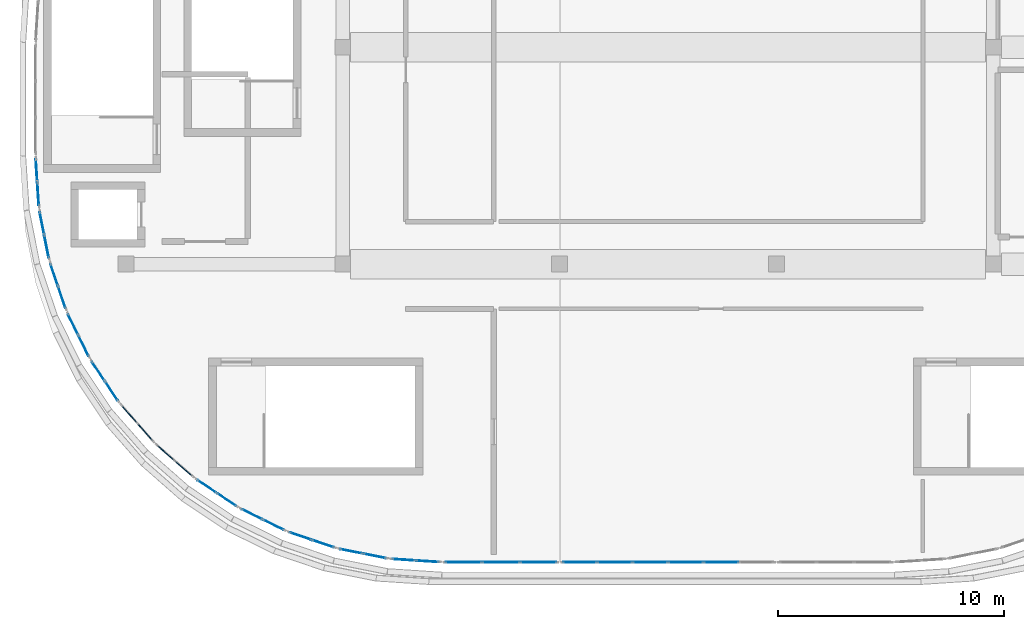
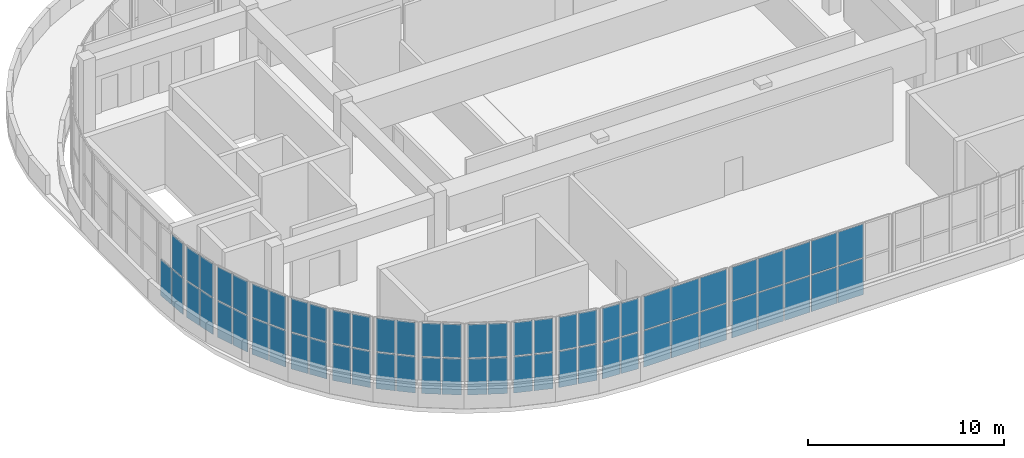
# One storey, part 13 of 23: 63 plates, 14 elements without a shape of their own.
"""IFC4 building model written with IfcOpenShell, lengths in metres."""

from ifc_helpers import new_model, si_unit, direction, frame, origin, origin_2d, place, context, subcontext, project, spatial, rectangle, extrude, material, layer, layer_set, type_object, element, aggregate, save


model = new_model("IFC4")

# Units and contexts
model_context = context("Model", 3, precision=1e-05, world=origin(), true_north=direction((0.0, 1.0)))
body_context = subcontext(model_context, "Body", "Model", "MODEL_VIEW")
ifc_project = project(units=[si_unit("LENGTHUNIT", "METRE"), si_unit("AREAUNIT", "SQUARE_METRE"), si_unit("VOLUMEUNIT", "CUBIC_METRE"), si_unit("PLANEANGLEUNIT", "RADIAN"), si_unit("MASSUNIT", "GRAM", prefix="KILO")], contexts=[model_context])

# Site, building, storey
site_placement = place(None, origin())
site = spatial("IfcSite", under=ifc_project, at=site_placement, CompositionType="ELEMENT")
building_placement = place(site_placement, origin())
building = spatial("IfcBuilding", under=site, at=building_placement, Name="Cendralis Terraced Arcade", CompositionType="ELEMENT")
storey_placement = place(building_placement, frame((0.0, 0.0, 29.39990234375)))
storey = spatial("IfcBuildingStorey", under=building, at=storey_placement, Name="L06", CompositionType="ELEMENT", Elevation=29.39990234375)

# Curtain wall, plates
ifc_material_1 = material(Name="Anodised aluminium EN AW-6063 T6", Category="aluminium")
ifc_layer_1 = layer(ifc_material_1, 0.179931640625, Name="CW-UNIT-A")
ifc_layer_set_1 = layer_set([ifc_layer_1], Name="Anodised aluminium EN AW-6063 T6")
curtain_wall_type_1 = type_object("IfcCurtainWallType", Name="CW-UNIT-A", PredefinedType="USERDEFINED", material=ifc_layer_set_1)
curtain_wall_1_placement = place(storey_placement, origin())
curtain_wall_1 = element("IfcCurtainWall", 1, at=curtain_wall_1_placement, inside=storey, type_object=curtain_wall_type_1, Name="Exterior Unitised Facade CW-L06-0485", ObjectType="UNITISED FACADE", PredefinedType="USERDEFINED")
ifc_material_2 = material(Name="Tempered solar control laminated glass", Category="glass")
ifc_layer_2 = layer(ifc_material_2, 0.035888671875, Name="CW-UNIT-A-PNL")
ifc_layer_set_2 = layer_set([ifc_layer_2], Name="Tempered solar control laminated glass")
plate_type_1 = type_object("IfcPlateType", Name="CW-UNIT-A-PNL", PredefinedType="CURTAIN_PANEL", material=ifc_layer_set_2)
plate_1_placement = place(storey_placement, frame((22.951416015625, 6.04248046875, 0.06494140625), z_axis=(0.0, 0.0, 1.0), x_axis=(-0.99785960626, 0.065392707503, 0.0)))
plate_1 = element("IfcPlate", 2, at=plate_1_placement, type_object=plate_type_1, Name="CW-U1 panel 1.1", PredefinedType="CURTAIN_PANEL", context=body_context, shape_type="SweptSolid", body=[
    extrude(rectangle(XDim=0.98974609375, YDim=0.035888671875, at=origin_2d()), origin(), (0.0, 0.0, 1.0), 2.255615234375),
])
plate_2_placement = place(storey_placement, frame((22.951416015625, 6.04248046875, 2.3857421875), z_axis=(0.0, 0.0, 1.0), x_axis=(-0.99785960626, 0.065392707503, 0.0)))
plate_2 = element("IfcPlate", 3, at=plate_2_placement, type_object=plate_type_1, Name="CW-U1 panel 1.2", PredefinedType="CURTAIN_PANEL", context=body_context, shape_type="SweptSolid", body=[
    extrude(rectangle(XDim=0.98974609375, YDim=0.035888671875, at=origin_2d()), origin(), (0.0, 0.0, 1.0), 2.074462890625),
])
plate_3_placement = place(storey_placement, frame((21.89892578125, 6.111572265625, 0.06494140625), z_axis=(0.0, 0.0, 1.0), x_axis=(-0.99785960626, 0.065392707503, 0.0)))
plate_3 = element("IfcPlate", 4, at=plate_3_placement, type_object=plate_type_1, Name="CW-U1 panel 2.1", PredefinedType="CURTAIN_PANEL", context=body_context, shape_type="SweptSolid", body=[
    extrude(rectangle(XDim=0.98974609375, YDim=0.035888671875, at=origin_2d()), origin(), (0.0, 0.0, 1.0), 2.255615234375),
])
plate_4_placement = place(storey_placement, frame((21.89892578125, 6.111572265625, 2.3857421875), z_axis=(0.0, 0.0, 1.0), x_axis=(-0.99785960626, 0.065392707503, 0.0)))
plate_4 = element("IfcPlate", 5, at=plate_4_placement, type_object=plate_type_1, Name="CW-U1 panel 2.2", PredefinedType="CURTAIN_PANEL", context=body_context, shape_type="SweptSolid", body=[
    extrude(rectangle(XDim=0.98974609375, YDim=0.035888671875, at=origin_2d()), origin(), (0.0, 0.0, 1.0), 2.074462890625),
])
aggregate(curtain_wall_1, [plate_1, plate_2, plate_3, plate_4])

curtain_wall_2_placement = place(storey_placement, origin())
curtain_wall_2 = element("IfcCurtainWall", 6, at=curtain_wall_2_placement, inside=storey, type_object=curtain_wall_type_1, Name="Exterior Unitised Facade CW-L06-0486", ObjectType="UNITISED FACADE", PredefinedType="USERDEFINED")
plate_5_placement = place(storey_placement, frame((20.613037109375, 6.28076171875, 0.06494140625), z_axis=(0.0, 0.0, 1.0), x_axis=(-0.980794124594, 0.195045853998, 0.0)))
plate_5 = element("IfcPlate", 7, at=plate_5_placement, type_object=plate_type_1, Name="CW-U1 panel 1.1", PredefinedType="CURTAIN_PANEL", context=body_context, shape_type="SweptSolid", body=[
    extrude(rectangle(XDim=0.98974609375, YDim=0.035888671875, at=origin_2d()), origin(), (0.0, 0.0, 1.0), 2.255615234375),
])
plate_6_placement = place(storey_placement, frame((20.613037109375, 6.28076171875, 2.3857421875), z_axis=(0.0, 0.0, 1.0), x_axis=(-0.980794124594, 0.195045853998, 0.0)))
plate_6 = element("IfcPlate", 8, at=plate_6_placement, type_object=plate_type_1, Name="CW-U1 panel 1.2", PredefinedType="CURTAIN_PANEL", context=body_context, shape_type="SweptSolid", body=[
    extrude(rectangle(XDim=0.98974609375, YDim=0.035888671875, at=origin_2d()), origin(), (0.0, 0.0, 1.0), 2.074462890625),
])
plate_7_placement = place(storey_placement, frame((19.57861328125, 6.486572265625, 0.06494140625), z_axis=(0.0, 0.0, 1.0), x_axis=(-0.980794124594, 0.195045853998, 0.0)))
plate_7 = element("IfcPlate", 9, at=plate_7_placement, type_object=plate_type_1, Name="CW-U1 panel 2.1", PredefinedType="CURTAIN_PANEL", context=body_context, shape_type="SweptSolid", body=[
    extrude(rectangle(XDim=0.98974609375, YDim=0.035888671875, at=origin_2d()), origin(), (0.0, 0.0, 1.0), 2.255615234375),
])
plate_8_placement = place(storey_placement, frame((19.57861328125, 6.486572265625, 2.3857421875), z_axis=(0.0, 0.0, 1.0), x_axis=(-0.980794124594, 0.195045853998, 0.0)))
plate_8 = element("IfcPlate", 10, at=plate_8_placement, type_object=plate_type_1, Name="CW-U1 panel 2.2", PredefinedType="CURTAIN_PANEL", context=body_context, shape_type="SweptSolid", body=[
    extrude(rectangle(XDim=0.98974609375, YDim=0.035888671875, at=origin_2d()), origin(), (0.0, 0.0, 1.0), 2.074462890625),
])
aggregate(curtain_wall_2, [plate_5, plate_6, plate_7, plate_8])

curtain_wall_3_placement = place(storey_placement, origin())
curtain_wall_3 = element("IfcCurtainWall", 11, at=curtain_wall_3_placement, inside=storey, type_object=curtain_wall_type_1, Name="Exterior Unitised Facade CW-L06-0487", ObjectType="UNITISED FACADE", PredefinedType="USERDEFINED")
plate_9_placement = place(storey_placement, frame((18.325927734375, 6.822265625, 0.06494140625), z_axis=(0.0, 0.0, 1.0), x_axis=(-0.946916721066, 0.321478962554, 0.0)))
plate_9 = element("IfcPlate", 12, at=plate_9_placement, type_object=plate_type_1, Name="CW-U1 panel 1.1", PredefinedType="CURTAIN_PANEL", context=body_context, shape_type="SweptSolid", body=[
    extrude(rectangle(XDim=0.98974609375, YDim=0.035888671875, at=origin_2d()), origin(), (0.0, 0.0, 1.0), 2.255615234375),
])
plate_10_placement = place(storey_placement, frame((18.325927734375, 6.822265625, 2.3857421875), z_axis=(0.0, 0.0, 1.0), x_axis=(-0.946916721066, 0.321478962554, 0.0)))
plate_10 = element("IfcPlate", 13, at=plate_10_placement, type_object=plate_type_1, Name="CW-U1 panel 1.2", PredefinedType="CURTAIN_PANEL", context=body_context, shape_type="SweptSolid", body=[
    extrude(rectangle(XDim=0.98974609375, YDim=0.035888671875, at=origin_2d()), origin(), (0.0, 0.0, 1.0), 2.074462890625),
])
plate_11_placement = place(storey_placement, frame((17.3271484375, 7.161376953125, 0.06494140625), z_axis=(0.0, 0.0, 1.0), x_axis=(-0.946916721066, 0.321478962554, 0.0)))
plate_11 = element("IfcPlate", 14, at=plate_11_placement, type_object=plate_type_1, Name="CW-U1 panel 2.1", PredefinedType="CURTAIN_PANEL", context=body_context, shape_type="SweptSolid", body=[
    extrude(rectangle(XDim=0.98974609375, YDim=0.035888671875, at=origin_2d()), origin(), (0.0, 0.0, 1.0), 2.255615234375),
])
plate_12_placement = place(storey_placement, frame((17.3271484375, 7.161376953125, 2.3857421875), z_axis=(0.0, 0.0, 1.0), x_axis=(-0.946916721066, 0.321478962554, 0.0)))
plate_12 = element("IfcPlate", 15, at=plate_12_placement, type_object=plate_type_1, Name="CW-U1 panel 2.2", PredefinedType="CURTAIN_PANEL", context=body_context, shape_type="SweptSolid", body=[
    extrude(rectangle(XDim=0.98974609375, YDim=0.035888671875, at=origin_2d()), origin(), (0.0, 0.0, 1.0), 2.074462890625),
])
aggregate(curtain_wall_3, [plate_9, plate_10, plate_11, plate_12])

curtain_wall_4_placement = place(storey_placement, origin())
curtain_wall_4 = element("IfcCurtainWall", 16, at=curtain_wall_4_placement, inside=storey, type_object=curtain_wall_type_1, Name="Exterior Unitised Facade CW-L06-0488", ObjectType="UNITISED FACADE", PredefinedType="USERDEFINED")
plate_13_placement = place(storey_placement, frame((16.12890625, 7.65771484375, 0.06494140625), z_axis=(0.0, 0.0, 1.0), x_axis=(-0.896887612731, 0.442258533133, 0.0)))
plate_13 = element("IfcPlate", 17, at=plate_13_placement, type_object=plate_type_1, Name="CW-U1 panel 1.1", PredefinedType="CURTAIN_PANEL", context=body_context, shape_type="SweptSolid", body=[
    extrude(rectangle(XDim=0.98974609375, YDim=0.035888671875, at=origin_2d()), origin(), (0.0, 0.0, 1.0), 2.255615234375),
])
plate_14_placement = place(storey_placement, frame((16.12890625, 7.65771484375, 2.3857421875), z_axis=(0.0, 0.0, 1.0), x_axis=(-0.896887612731, 0.442258533133, 0.0)))
plate_14 = element("IfcPlate", 18, at=plate_14_placement, type_object=plate_type_1, Name="CW-U1 panel 1.2", PredefinedType="CURTAIN_PANEL", context=body_context, shape_type="SweptSolid", body=[
    extrude(rectangle(XDim=0.98974609375, YDim=0.035888671875, at=origin_2d()), origin(), (0.0, 0.0, 1.0), 2.074462890625),
])
plate_15_placement = place(storey_placement, frame((15.182861328125, 8.1240234375, 0.06494140625), z_axis=(0.0, 0.0, 1.0), x_axis=(-0.896887612731, 0.442258533133, 0.0)))
plate_15 = element("IfcPlate", 19, at=plate_15_placement, type_object=plate_type_1, Name="CW-U1 panel 2.1", PredefinedType="CURTAIN_PANEL", context=body_context, shape_type="SweptSolid", body=[
    extrude(rectangle(XDim=0.98974609375, YDim=0.035888671875, at=origin_2d()), origin(), (0.0, 0.0, 1.0), 2.255615234375),
])
plate_16_placement = place(storey_placement, frame((15.182861328125, 8.1240234375, 2.3857421875), z_axis=(0.0, 0.0, 1.0), x_axis=(-0.896887612731, 0.442258533133, 0.0)))
plate_16 = element("IfcPlate", 20, at=plate_16_placement, type_object=plate_type_1, Name="CW-U1 panel 2.2", PredefinedType="CURTAIN_PANEL", context=body_context, shape_type="SweptSolid", body=[
    extrude(rectangle(XDim=0.98974609375, YDim=0.035888671875, at=origin_2d()), origin(), (0.0, 0.0, 1.0), 2.074462890625),
])
aggregate(curtain_wall_4, [plate_13, plate_14, plate_15, plate_16])

curtain_wall_5_placement = place(storey_placement, origin())
curtain_wall_5 = element("IfcCurtainWall", 21, at=curtain_wall_5_placement, inside=storey, type_object=curtain_wall_type_1, Name="Exterior Unitised Facade CW-L06-0489", ObjectType="UNITISED FACADE", PredefinedType="USERDEFINED")
plate_17_placement = place(storey_placement, frame((14.0595703125, 8.7724609375, 0.06494140625), z_axis=(0.0, 0.0, 1.0), x_axis=(-0.831476791301, 0.555559488738, 0.0)))
plate_17 = element("IfcPlate", 22, at=plate_17_placement, type_object=plate_type_1, Name="CW-U1 panel 1.1", PredefinedType="CURTAIN_PANEL", context=body_context, shape_type="SweptSolid", body=[
    extrude(rectangle(XDim=0.98974609375, YDim=0.035888671875, at=origin_2d()), origin(), (0.0, 0.0, 1.0), 2.255615234375),
])
plate_18_placement = place(storey_placement, frame((14.0595703125, 8.7724609375, 2.3857421875), z_axis=(0.0, 0.0, 1.0), x_axis=(-0.831476791301, 0.555559488738, 0.0)))
plate_18 = element("IfcPlate", 23, at=plate_18_placement, type_object=plate_type_1, Name="CW-U1 panel 1.2", PredefinedType="CURTAIN_PANEL", context=body_context, shape_type="SweptSolid", body=[
    extrude(rectangle(XDim=0.98974609375, YDim=0.035888671875, at=origin_2d()), origin(), (0.0, 0.0, 1.0), 2.074462890625),
])
plate_19_placement = place(storey_placement, frame((13.1826171875, 9.358642578125, 0.06494140625), z_axis=(0.0, 0.0, 1.0), x_axis=(-0.831476791301, 0.555559488738, 0.0)))
plate_19 = element("IfcPlate", 24, at=plate_19_placement, type_object=plate_type_1, Name="CW-U1 panel 2.1", PredefinedType="CURTAIN_PANEL", context=body_context, shape_type="SweptSolid", body=[
    extrude(rectangle(XDim=0.98974609375, YDim=0.035888671875, at=origin_2d()), origin(), (0.0, 0.0, 1.0), 2.255615234375),
])
plate_20_placement = place(storey_placement, frame((13.1826171875, 9.358642578125, 2.3857421875), z_axis=(0.0, 0.0, 1.0), x_axis=(-0.831476791301, 0.555559488738, 0.0)))
plate_20 = element("IfcPlate", 25, at=plate_20_placement, type_object=plate_type_1, Name="CW-U1 panel 2.2", PredefinedType="CURTAIN_PANEL", context=body_context, shape_type="SweptSolid", body=[
    extrude(rectangle(XDim=0.98974609375, YDim=0.035888671875, at=origin_2d()), origin(), (0.0, 0.0, 1.0), 2.074462890625),
])
aggregate(curtain_wall_5, [plate_17, plate_18, plate_19, plate_20])

curtain_wall_6_placement = place(storey_placement, origin())
curtain_wall_6 = element("IfcCurtainWall", 26, at=curtain_wall_6_placement, inside=storey, type_object=curtain_wall_type_1, Name="Exterior Unitised Facade CW-L06-0490", ObjectType="UNITISED FACADE", PredefinedType="USERDEFINED")
plate_21_placement = place(storey_placement, frame((12.153564453125, 10.148193359375, 0.06494140625), z_axis=(0.0, 0.0, 1.0), x_axis=(-0.75178990847, 0.659402709672, 0.0)))
plate_21 = element("IfcPlate", 27, at=plate_21_placement, type_object=plate_type_1, Name="CW-U1 panel 1.1", PredefinedType="CURTAIN_PANEL", context=body_context, shape_type="SweptSolid", body=[
    extrude(rectangle(XDim=0.98974609375, YDim=0.035888671875, at=origin_2d()), origin(), (0.0, 0.0, 1.0), 2.255615234375),
])
plate_22_placement = place(storey_placement, frame((12.153564453125, 10.148193359375, 2.3857421875), z_axis=(0.0, 0.0, 1.0), x_axis=(-0.75178990847, 0.659402709672, 0.0)))
plate_22 = element("IfcPlate", 28, at=plate_22_placement, type_object=plate_type_1, Name="CW-U1 panel 1.2", PredefinedType="CURTAIN_PANEL", context=body_context, shape_type="SweptSolid", body=[
    extrude(rectangle(XDim=0.98974609375, YDim=0.035888671875, at=origin_2d()), origin(), (0.0, 0.0, 1.0), 2.074462890625),
])
plate_23_placement = place(storey_placement, frame((11.360595703125, 10.843505859375, 0.06494140625), z_axis=(0.0, 0.0, 1.0), x_axis=(-0.75178990847, 0.659402709672, 0.0)))
plate_23 = element("IfcPlate", 29, at=plate_23_placement, type_object=plate_type_1, Name="CW-U1 panel 2.1", PredefinedType="CURTAIN_PANEL", context=body_context, shape_type="SweptSolid", body=[
    extrude(rectangle(XDim=0.98974609375, YDim=0.035888671875, at=origin_2d()), origin(), (0.0, 0.0, 1.0), 2.255615234375),
])
plate_24_placement = place(storey_placement, frame((11.360595703125, 10.843505859375, 2.3857421875), z_axis=(0.0, 0.0, 1.0), x_axis=(-0.75178990847, 0.659402709672, 0.0)))
plate_24 = element("IfcPlate", 30, at=plate_24_placement, type_object=plate_type_1, Name="CW-U1 panel 2.2", PredefinedType="CURTAIN_PANEL", context=body_context, shape_type="SweptSolid", body=[
    extrude(rectangle(XDim=0.98974609375, YDim=0.035888671875, at=origin_2d()), origin(), (0.0, 0.0, 1.0), 2.074462890625),
])
aggregate(curtain_wall_6, [plate_21, plate_22, plate_23, plate_24])

curtain_wall_7_placement = place(storey_placement, origin())
curtain_wall_7 = element("IfcCurtainWall", 31, at=curtain_wall_7_placement, inside=storey, type_object=curtain_wall_type_1, Name="Exterior Unitised Facade CW-L06-0491", ObjectType="UNITISED FACADE", PredefinedType="USERDEFINED")
plate_25_placement = place(storey_placement, frame((10.443603515625, 11.7607421875, 0.06494140625), z_axis=(0.0, 0.0, 1.0), x_axis=(-0.659402709672, 0.75178990847, 0.0)))
plate_25 = element("IfcPlate", 32, at=plate_25_placement, type_object=plate_type_1, Name="CW-U1 panel 1.1", PredefinedType="CURTAIN_PANEL", context=body_context, shape_type="SweptSolid", body=[
    extrude(rectangle(XDim=0.98974609375, YDim=0.035888671875, at=origin_2d()), origin(), (0.0, 0.0, 1.0), 2.255615234375),
])
plate_26_placement = place(storey_placement, frame((10.443603515625, 11.7607421875, 2.3857421875), z_axis=(0.0, 0.0, 1.0), x_axis=(-0.659402709672, 0.75178990847, 0.0)))
plate_26 = element("IfcPlate", 33, at=plate_26_placement, type_object=plate_type_1, Name="CW-U1 panel 1.2", PredefinedType="CURTAIN_PANEL", context=body_context, shape_type="SweptSolid", body=[
    extrude(rectangle(XDim=0.98974609375, YDim=0.035888671875, at=origin_2d()), origin(), (0.0, 0.0, 1.0), 2.074462890625),
])
plate_27_placement = place(storey_placement, frame((9.748046875, 12.5537109375, 0.06494140625), z_axis=(0.0, 0.0, 1.0), x_axis=(-0.659402709672, 0.75178990847, 0.0)))
plate_27 = element("IfcPlate", 34, at=plate_27_placement, type_object=plate_type_1, Name="CW-U1 panel 2.1", PredefinedType="CURTAIN_PANEL", context=body_context, shape_type="SweptSolid", body=[
    extrude(rectangle(XDim=0.98974609375, YDim=0.035888671875, at=origin_2d()), origin(), (0.0, 0.0, 1.0), 2.255615234375),
])
plate_28_placement = place(storey_placement, frame((9.748046875, 12.5537109375, 2.3857421875), z_axis=(0.0, 0.0, 1.0), x_axis=(-0.659402709672, 0.75178990847, 0.0)))
plate_28 = element("IfcPlate", 35, at=plate_28_placement, type_object=plate_type_1, Name="CW-U1 panel 2.2", PredefinedType="CURTAIN_PANEL", context=body_context, shape_type="SweptSolid", body=[
    extrude(rectangle(XDim=0.98974609375, YDim=0.035888671875, at=origin_2d()), origin(), (0.0, 0.0, 1.0), 2.074462890625),
])
aggregate(curtain_wall_7, [plate_25, plate_26, plate_27, plate_28])

curtain_wall_8_placement = place(storey_placement, origin())
curtain_wall_8 = element("IfcCurtainWall", 36, at=curtain_wall_8_placement, inside=storey, type_object=curtain_wall_type_1, Name="Exterior Unitised Facade CW-L06-0492", ObjectType="UNITISED FACADE", PredefinedType="USERDEFINED")
plate_29_placement = place(storey_placement, frame((8.95849609375, 13.58251953125, 0.06494140625), z_axis=(0.0, 0.0, 1.0), x_axis=(-0.555559488738, 0.831476791301, 0.0)))
plate_29 = element("IfcPlate", 37, at=plate_29_placement, type_object=plate_type_1, Name="CW-U1 panel 1.1", PredefinedType="CURTAIN_PANEL", context=body_context, shape_type="SweptSolid", body=[
    extrude(rectangle(XDim=0.98974609375, YDim=0.035888671875, at=origin_2d()), origin(), (0.0, 0.0, 1.0), 2.255615234375),
])
plate_30_placement = place(storey_placement, frame((8.95849609375, 13.58251953125, 2.3857421875), z_axis=(0.0, 0.0, 1.0), x_axis=(-0.555559488738, 0.831476791301, 0.0)))
plate_30 = element("IfcPlate", 38, at=plate_30_placement, type_object=plate_type_1, Name="CW-U1 panel 1.2", PredefinedType="CURTAIN_PANEL", context=body_context, shape_type="SweptSolid", body=[
    extrude(rectangle(XDim=0.98974609375, YDim=0.035888671875, at=origin_2d()), origin(), (0.0, 0.0, 1.0), 2.074462890625),
])
plate_31_placement = place(storey_placement, frame((8.37255859375, 14.459716796875, 0.06494140625), z_axis=(0.0, 0.0, 1.0), x_axis=(-0.555559488738, 0.831476791301, 0.0)))
plate_31 = element("IfcPlate", 39, at=plate_31_placement, type_object=plate_type_1, Name="CW-U1 panel 2.1", PredefinedType="CURTAIN_PANEL", context=body_context, shape_type="SweptSolid", body=[
    extrude(rectangle(XDim=0.98974609375, YDim=0.035888671875, at=origin_2d()), origin(), (0.0, 0.0, 1.0), 2.255615234375),
])
plate_32_placement = place(storey_placement, frame((8.37255859375, 14.459716796875, 2.3857421875), z_axis=(0.0, 0.0, 1.0), x_axis=(-0.555559488738, 0.831476791301, 0.0)))
plate_32 = element("IfcPlate", 40, at=plate_32_placement, type_object=plate_type_1, Name="CW-U1 panel 2.2", PredefinedType="CURTAIN_PANEL", context=body_context, shape_type="SweptSolid", body=[
    extrude(rectangle(XDim=0.98974609375, YDim=0.035888671875, at=origin_2d()), origin(), (0.0, 0.0, 1.0), 2.074462890625),
])
aggregate(curtain_wall_8, [plate_29, plate_30, plate_31, plate_32])

curtain_wall_9_placement = place(storey_placement, origin())
curtain_wall_9 = element("IfcCurtainWall", 41, at=curtain_wall_9_placement, inside=storey, type_object=curtain_wall_type_1, Name="Exterior Unitised Facade CW-L06-0493", ObjectType="UNITISED FACADE", PredefinedType="USERDEFINED")
plate_33_placement = place(storey_placement, frame((7.72412109375, 15.582763671875, 0.06494140625), z_axis=(0.0, 0.0, 1.0), x_axis=(-0.442258533133, 0.896887612731, 0.0)))
plate_33 = element("IfcPlate", 42, at=plate_33_placement, type_object=plate_type_1, Name="CW-U1 panel 1.1", PredefinedType="CURTAIN_PANEL", context=body_context, shape_type="SweptSolid", body=[
    extrude(rectangle(XDim=0.98974609375, YDim=0.035888671875, at=origin_2d()), origin(), (0.0, 0.0, 1.0), 2.255615234375),
])
plate_34_placement = place(storey_placement, frame((7.72412109375, 15.582763671875, 2.3857421875), z_axis=(0.0, 0.0, 1.0), x_axis=(-0.442258533133, 0.896887612731, 0.0)))
plate_34 = element("IfcPlate", 43, at=plate_34_placement, type_object=plate_type_1, Name="CW-U1 panel 1.2", PredefinedType="CURTAIN_PANEL", context=body_context, shape_type="SweptSolid", body=[
    extrude(rectangle(XDim=0.98974609375, YDim=0.035888671875, at=origin_2d()), origin(), (0.0, 0.0, 1.0), 2.074462890625),
])
plate_35_placement = place(storey_placement, frame((7.257568359375, 16.52880859375, 0.06494140625), z_axis=(0.0, 0.0, 1.0), x_axis=(-0.442258533133, 0.896887612731, 0.0)))
plate_35 = element("IfcPlate", 44, at=plate_35_placement, type_object=plate_type_1, Name="CW-U1 panel 2.1", PredefinedType="CURTAIN_PANEL", context=body_context, shape_type="SweptSolid", body=[
    extrude(rectangle(XDim=0.98974609375, YDim=0.035888671875, at=origin_2d()), origin(), (0.0, 0.0, 1.0), 2.255615234375),
])
plate_36_placement = place(storey_placement, frame((7.257568359375, 16.52880859375, 2.3857421875), z_axis=(0.0, 0.0, 1.0), x_axis=(-0.442258533133, 0.896887612731, 0.0)))
plate_36 = element("IfcPlate", 45, at=plate_36_placement, type_object=plate_type_1, Name="CW-U1 panel 2.2", PredefinedType="CURTAIN_PANEL", context=body_context, shape_type="SweptSolid", body=[
    extrude(rectangle(XDim=0.98974609375, YDim=0.035888671875, at=origin_2d()), origin(), (0.0, 0.0, 1.0), 2.074462890625),
])
aggregate(curtain_wall_9, [plate_33, plate_34, plate_35, plate_36])

curtain_wall_10_placement = place(storey_placement, origin())
curtain_wall_10 = element("IfcCurtainWall", 46, at=curtain_wall_10_placement, inside=storey, type_object=curtain_wall_type_1, Name="Exterior Unitised Facade CW-L06-0494", ObjectType="UNITISED FACADE", PredefinedType="USERDEFINED")
plate_37_placement = place(storey_placement, frame((6.76123046875, 17.72705078125, 0.06494140625), z_axis=(0.0, 0.0, 1.0), x_axis=(-0.321478962554, 0.946916721066, 0.0)))
plate_37 = element("IfcPlate", 47, at=plate_37_placement, type_object=plate_type_1, Name="CW-U1 panel 1.1", PredefinedType="CURTAIN_PANEL", context=body_context, shape_type="SweptSolid", body=[
    extrude(rectangle(XDim=0.98974609375, YDim=0.035888671875, at=origin_2d()), origin(), (0.0, 0.0, 1.0), 2.255615234375),
])
plate_38_placement = place(storey_placement, frame((6.76123046875, 17.72705078125, 2.3857421875), z_axis=(0.0, 0.0, 1.0), x_axis=(-0.321478962554, 0.946916721066, 0.0)))
plate_38 = element("IfcPlate", 48, at=plate_38_placement, type_object=plate_type_1, Name="CW-U1 panel 1.2", PredefinedType="CURTAIN_PANEL", context=body_context, shape_type="SweptSolid", body=[
    extrude(rectangle(XDim=0.98974609375, YDim=0.035888671875, at=origin_2d()), origin(), (0.0, 0.0, 1.0), 2.074462890625),
])
plate_39_placement = place(storey_placement, frame((6.422119140625, 18.725830078125, 0.06494140625), z_axis=(0.0, 0.0, 1.0), x_axis=(-0.321478962554, 0.946916721066, 0.0)))
plate_39 = element("IfcPlate", 49, at=plate_39_placement, type_object=plate_type_1, Name="CW-U1 panel 2.1", PredefinedType="CURTAIN_PANEL", context=body_context, shape_type="SweptSolid", body=[
    extrude(rectangle(XDim=0.98974609375, YDim=0.035888671875, at=origin_2d()), origin(), (0.0, 0.0, 1.0), 2.255615234375),
])
plate_40_placement = place(storey_placement, frame((6.422119140625, 18.725830078125, 2.3857421875), z_axis=(0.0, 0.0, 1.0), x_axis=(-0.321478962554, 0.946916721066, 0.0)))
plate_40 = element("IfcPlate", 50, at=plate_40_placement, type_object=plate_type_1, Name="CW-U1 panel 2.2", PredefinedType="CURTAIN_PANEL", context=body_context, shape_type="SweptSolid", body=[
    extrude(rectangle(XDim=0.98974609375, YDim=0.035888671875, at=origin_2d()), origin(), (0.0, 0.0, 1.0), 2.074462890625),
])
aggregate(curtain_wall_10, [plate_37, plate_38, plate_39, plate_40])

curtain_wall_11_placement = place(storey_placement, origin())
curtain_wall_11 = element("IfcCurtainWall", 51, at=curtain_wall_11_placement, inside=storey, type_object=curtain_wall_type_1, Name="Exterior Unitised Facade CW-L06-0495", ObjectType="UNITISED FACADE", PredefinedType="USERDEFINED")
plate_41_placement = place(storey_placement, frame((6.08642578125, 19.978759765625, 0.06494140625), z_axis=(0.0, 0.0, 1.0), x_axis=(-0.195045853998, 0.980794124594, 0.0)))
plate_41 = element("IfcPlate", 52, at=plate_41_placement, type_object=plate_type_1, Name="CW-U1 panel 1.1", PredefinedType="CURTAIN_PANEL", context=body_context, shape_type="SweptSolid", body=[
    extrude(rectangle(XDim=0.98974609375, YDim=0.035888671875, at=origin_2d()), origin(), (0.0, 0.0, 1.0), 2.255615234375),
])
plate_42_placement = place(storey_placement, frame((6.08642578125, 19.978759765625, 2.3857421875), z_axis=(0.0, 0.0, 1.0), x_axis=(-0.195045853998, 0.980794124594, 0.0)))
plate_42 = element("IfcPlate", 53, at=plate_42_placement, type_object=plate_type_1, Name="CW-U1 panel 1.2", PredefinedType="CURTAIN_PANEL", context=body_context, shape_type="SweptSolid", body=[
    extrude(rectangle(XDim=0.98974609375, YDim=0.035888671875, at=origin_2d()), origin(), (0.0, 0.0, 1.0), 2.074462890625),
])
plate_43_placement = place(storey_placement, frame((5.880859375, 21.01318359375, 0.06494140625), z_axis=(0.0, 0.0, 1.0), x_axis=(-0.195045853998, 0.980794124594, 0.0)))
plate_43 = element("IfcPlate", 54, at=plate_43_placement, type_object=plate_type_1, Name="CW-U1 panel 2.1", PredefinedType="CURTAIN_PANEL", context=body_context, shape_type="SweptSolid", body=[
    extrude(rectangle(XDim=0.98974609375, YDim=0.035888671875, at=origin_2d()), origin(), (0.0, 0.0, 1.0), 2.255615234375),
])
plate_44_placement = place(storey_placement, frame((5.880859375, 21.01318359375, 2.3857421875), z_axis=(0.0, 0.0, 1.0), x_axis=(-0.195045853998, 0.980794124594, 0.0)))
plate_44 = element("IfcPlate", 55, at=plate_44_placement, type_object=plate_type_1, Name="CW-U1 panel 2.2", PredefinedType="CURTAIN_PANEL", context=body_context, shape_type="SweptSolid", body=[
    extrude(rectangle(XDim=0.98974609375, YDim=0.035888671875, at=origin_2d()), origin(), (0.0, 0.0, 1.0), 2.074462890625),
])
aggregate(curtain_wall_11, [plate_41, plate_42, plate_43, plate_44])

curtain_wall_12_placement = place(storey_placement, origin())
curtain_wall_12 = element("IfcCurtainWall", 56, at=curtain_wall_12_placement, inside=storey, type_object=curtain_wall_type_1, Name="Exterior Unitised Facade CW-L06-0496", ObjectType="UNITISED FACADE", PredefinedType="USERDEFINED")
plate_45_placement = place(storey_placement, frame((5.71142578125, 22.299072265625, 0.06494140625), z_axis=(0.0, 0.0, 1.0), x_axis=(-0.065392707503, 0.99785960626, 0.0)))
plate_45 = element("IfcPlate", 57, at=plate_45_placement, type_object=plate_type_1, Name="CW-U1 panel 1.1", PredefinedType="CURTAIN_PANEL", context=body_context, shape_type="SweptSolid", body=[
    extrude(rectangle(XDim=0.98974609375, YDim=0.035888671875, at=origin_2d()), origin(), (0.0, 0.0, 1.0), 2.255615234375),
])
plate_46_placement = place(storey_placement, frame((5.71142578125, 22.299072265625, 2.3857421875), z_axis=(0.0, 0.0, 1.0), x_axis=(-0.065392707503, 0.99785960626, 0.0)))
plate_46 = element("IfcPlate", 58, at=plate_46_placement, type_object=plate_type_1, Name="CW-U1 panel 1.2", PredefinedType="CURTAIN_PANEL", context=body_context, shape_type="SweptSolid", body=[
    extrude(rectangle(XDim=0.98974609375, YDim=0.035888671875, at=origin_2d()), origin(), (0.0, 0.0, 1.0), 2.074462890625),
])
plate_47_placement = place(storey_placement, frame((5.642578125, 23.3515625, 0.06494140625), z_axis=(0.0, 0.0, 1.0), x_axis=(-0.065392707503, 0.99785960626, 0.0)))
plate_47 = element("IfcPlate", 59, at=plate_47_placement, type_object=plate_type_1, Name="CW-U1 panel 2.1", PredefinedType="CURTAIN_PANEL", context=body_context, shape_type="SweptSolid", body=[
    extrude(rectangle(XDim=0.98974609375, YDim=0.035888671875, at=origin_2d()), origin(), (0.0, 0.0, 1.0), 2.255615234375),
])
aggregate(curtain_wall_12, [plate_45, plate_46, plate_47])

ifc_layer_3 = layer(ifc_material_1, 0.159912109375, Name="CW-UNIT-B")
ifc_layer_set_3 = layer_set([ifc_layer_3], Name="Anodised aluminium EN AW-6063 T6")
curtain_wall_type_2 = type_object("IfcCurtainWallType", Name="CW-UNIT-B", PredefinedType="USERDEFINED", material=ifc_layer_set_3)
curtain_wall_13_placement = place(storey_placement, origin())
curtain_wall_13 = element("IfcCurtainWall", 60, at=curtain_wall_13_placement, inside=storey, type_object=curtain_wall_type_2, Name="Exterior Unitised Facade CW-L06-0483", ObjectType="UNITISED FACADE", PredefinedType="USERDEFINED")
ifc_layer_4 = layer(ifc_material_2, 0.031982421875, Name="CW-UNIT-B-PNL")
ifc_layer_set_4 = layer_set([ifc_layer_4], Name="Tempered solar control laminated glass")
plate_type_2 = type_object("IfcPlateType", Name="CW-UNIT-B-PNL", PredefinedType="CURTAIN_PANEL", material=ifc_layer_set_4)
plate_48_placement = place(storey_placement, frame((35.955078125, 6.0, 0.06005859375), z_axis=(0.0, 0.0, 1.0), x_axis=(-1.0, 0.0, 0.0)))
plate_48 = element("IfcPlate", 61, at=plate_48_placement, type_object=plate_type_2, Name="CW-U2 panel 2.1", PredefinedType="CURTAIN_PANEL", context=body_context, shape_type="SweptSolid", body=[
    extrude(rectangle(XDim=1.5048828125, YDim=0.031982421875, at=origin_2d()), origin(), (0.0, 0.0, 1.0), 2.262939453125),
])
plate_49_placement = place(storey_placement, frame((35.955078125, 6.0, 2.383056640625), z_axis=(0.0, 0.0, 1.0), x_axis=(-1.0, 0.0, 0.0)))
plate_49 = element("IfcPlate", 62, at=plate_49_placement, type_object=plate_type_2, Name="CW-U2 panel 2.2", PredefinedType="CURTAIN_PANEL", context=body_context, shape_type="SweptSolid", body=[
    extrude(rectangle(XDim=1.5048828125, YDim=0.031982421875, at=origin_2d()), origin(), (0.0, 0.0, 1.0), 2.08203125),
])
plate_50_placement = place(storey_placement, frame((34.385009765625, 6.0, 0.06005859375), z_axis=(0.0, 0.0, 1.0), x_axis=(-1.0, 0.0, 0.0)))
plate_50 = element("IfcPlate", 63, at=plate_50_placement, type_object=plate_type_2, Name="CW-U2 panel 3.1", PredefinedType="CURTAIN_PANEL", context=body_context, shape_type="SweptSolid", body=[
    extrude(rectangle(XDim=1.5048828125, YDim=0.031982421875, at=origin_2d()), origin(), (0.0, 0.0, 1.0), 2.262939453125),
])
plate_51_placement = place(storey_placement, frame((34.385009765625, 6.0, 2.383056640625), z_axis=(0.0, 0.0, 1.0), x_axis=(-1.0, 0.0, 0.0)))
plate_51 = element("IfcPlate", 64, at=plate_51_placement, type_object=plate_type_2, Name="CW-U2 panel 3.2", PredefinedType="CURTAIN_PANEL", context=body_context, shape_type="SweptSolid", body=[
    extrude(rectangle(XDim=1.5048828125, YDim=0.031982421875, at=origin_2d()), origin(), (0.0, 0.0, 1.0), 2.08203125),
])
plate_52_placement = place(storey_placement, frame((32.81494140625, 6.0, 0.06005859375), z_axis=(0.0, 0.0, 1.0), x_axis=(-1.0, 0.0, 0.0)))
plate_52 = element("IfcPlate", 65, at=plate_52_placement, type_object=plate_type_2, Name="CW-U2 panel 4.1", PredefinedType="CURTAIN_PANEL", context=body_context, shape_type="SweptSolid", body=[
    extrude(rectangle(XDim=1.5048828125, YDim=0.031982421875, at=origin_2d()), origin(), (0.0, 0.0, 1.0), 2.262939453125),
])
plate_53_placement = place(storey_placement, frame((32.81494140625, 6.0, 2.383056640625), z_axis=(0.0, 0.0, 1.0), x_axis=(-1.0, 0.0, 0.0)))
plate_53 = element("IfcPlate", 66, at=plate_53_placement, type_object=plate_type_2, Name="CW-U2 panel 4.2", PredefinedType="CURTAIN_PANEL", context=body_context, shape_type="SweptSolid", body=[
    extrude(rectangle(XDim=1.5048828125, YDim=0.031982421875, at=origin_2d()), origin(), (0.0, 0.0, 1.0), 2.08203125),
])
plate_54_placement = place(storey_placement, frame((31.2451171875, 6.0, 0.06005859375), z_axis=(0.0, 0.0, 1.0), x_axis=(-1.0, 0.0, 0.0)))
plate_54 = element("IfcPlate", 67, at=plate_54_placement, type_object=plate_type_2, Name="CW-U2 panel 5.1", PredefinedType="CURTAIN_PANEL", context=body_context, shape_type="SweptSolid", body=[
    extrude(rectangle(XDim=1.5048828125, YDim=0.031982421875, at=origin_2d()), origin(), (0.0, 0.0, 1.0), 2.262939453125),
])
plate_55_placement = place(storey_placement, frame((31.2451171875, 6.0, 2.383056640625), z_axis=(0.0, 0.0, 1.0), x_axis=(-1.0, 0.0, 0.0)))
plate_55 = element("IfcPlate", 68, at=plate_55_placement, type_object=plate_type_2, Name="CW-U2 panel 5.2", PredefinedType="CURTAIN_PANEL", context=body_context, shape_type="SweptSolid", body=[
    extrude(rectangle(XDim=1.5048828125, YDim=0.031982421875, at=origin_2d()), origin(), (0.0, 0.0, 1.0), 2.08203125),
])
plate_56_placement = place(storey_placement, frame((29.691162109375, 6.0, 0.06005859375), z_axis=(0.0, 0.0, 1.0), x_axis=(-1.0, 0.0, 0.0)))
plate_56 = element("IfcPlate", 69, at=plate_56_placement, type_object=plate_type_2, Name="CW-U2 panel 6.1", PredefinedType="CURTAIN_PANEL", context=body_context, shape_type="SweptSolid", body=[
    extrude(rectangle(XDim=1.472412109375, YDim=0.031982421875, at=origin_2d()), origin(), (0.0, 0.0, 1.0), 2.262939453125),
])
plate_57_placement = place(storey_placement, frame((29.691162109375, 6.0, 2.383056640625), z_axis=(0.0, 0.0, 1.0), x_axis=(-1.0, 0.0, 0.0)))
plate_57 = element("IfcPlate", 70, at=plate_57_placement, type_object=plate_type_2, Name="CW-U2 panel 6.2", PredefinedType="CURTAIN_PANEL", context=body_context, shape_type="SweptSolid", body=[
    extrude(rectangle(XDim=1.472412109375, YDim=0.031982421875, at=origin_2d()), origin(), (0.0, 0.0, 1.0), 2.08203125),
])
aggregate(curtain_wall_13, [plate_48, plate_49, plate_50, plate_51, plate_52, plate_53, plate_54, plate_55, plate_56, plate_57])

curtain_wall_14_placement = place(storey_placement, origin())
curtain_wall_14 = element("IfcCurtainWall", 71, at=curtain_wall_14_placement, inside=storey, type_object=curtain_wall_type_2, Name="Exterior Unitised Facade CW-L06-0484", ObjectType="UNITISED FACADE", PredefinedType="USERDEFINED")
plate_58_placement = place(storey_placement, frame((27.857177734375, 6.0, 0.06005859375), z_axis=(0.0, 0.0, 1.0), x_axis=(-1.0, 0.0, 0.0)))
plate_58 = element("IfcPlate", 72, at=plate_58_placement, type_object=plate_type_2, Name="CW-U2 panel 1.1", PredefinedType="CURTAIN_PANEL", context=body_context, shape_type="SweptSolid", body=[
    extrude(rectangle(XDim=1.575927734375, YDim=0.031982421875, at=origin_2d()), origin(), (0.0, 0.0, 1.0), 2.262939453125),
])
plate_59_placement = place(storey_placement, frame((27.857177734375, 6.0, 2.383056640625), z_axis=(0.0, 0.0, 1.0), x_axis=(-1.0, 0.0, 0.0)))
plate_59 = element("IfcPlate", 73, at=plate_59_placement, type_object=plate_type_2, Name="CW-U2 panel 1.2", PredefinedType="CURTAIN_PANEL", context=body_context, shape_type="SweptSolid", body=[
    extrude(rectangle(XDim=1.575927734375, YDim=0.031982421875, at=origin_2d()), origin(), (0.0, 0.0, 1.0), 2.08203125),
])
plate_60_placement = place(storey_placement, frame((26.199951171875, 6.0, 0.06005859375), z_axis=(0.0, 0.0, 1.0), x_axis=(-1.0, 0.0, 0.0)))
plate_60 = element("IfcPlate", 74, at=plate_60_placement, type_object=plate_type_2, Name="CW-U2 panel 2.1", PredefinedType="CURTAIN_PANEL", context=body_context, shape_type="SweptSolid", body=[
    extrude(rectangle(XDim=1.6083984375, YDim=0.031982421875, at=origin_2d()), origin(), (0.0, 0.0, 1.0), 2.262939453125),
])
plate_61_placement = place(storey_placement, frame((26.199951171875, 6.0, 2.383056640625), z_axis=(0.0, 0.0, 1.0), x_axis=(-1.0, 0.0, 0.0)))
plate_61 = element("IfcPlate", 75, at=plate_61_placement, type_object=plate_type_2, Name="CW-U2 panel 2.2", PredefinedType="CURTAIN_PANEL", context=body_context, shape_type="SweptSolid", body=[
    extrude(rectangle(XDim=1.6083984375, YDim=0.031982421875, at=origin_2d()), origin(), (0.0, 0.0, 1.0), 2.08203125),
])
plate_62_placement = place(storey_placement, frame((24.54296875, 6.0, 0.06005859375), z_axis=(0.0, 0.0, 1.0), x_axis=(-1.0, 0.0, 0.0)))
plate_62 = element("IfcPlate", 76, at=plate_62_placement, type_object=plate_type_2, Name="CW-U2 panel 3.1", PredefinedType="CURTAIN_PANEL", context=body_context, shape_type="SweptSolid", body=[
    extrude(rectangle(XDim=1.575927734375, YDim=0.031982421875, at=origin_2d()), origin(), (0.0, 0.0, 1.0), 2.262939453125),
])
plate_63_placement = place(storey_placement, frame((24.54296875, 6.0, 2.383056640625), z_axis=(0.0, 0.0, 1.0), x_axis=(-1.0, 0.0, 0.0)))
plate_63 = element("IfcPlate", 77, at=plate_63_placement, type_object=plate_type_2, Name="CW-U2 panel 3.2", PredefinedType="CURTAIN_PANEL", context=body_context, shape_type="SweptSolid", body=[
    extrude(rectangle(XDim=1.575927734375, YDim=0.031982421875, at=origin_2d()), origin(), (0.0, 0.0, 1.0), 2.08203125),
])
aggregate(curtain_wall_14, [plate_58, plate_59, plate_60, plate_61, plate_62, plate_63])

save(model, "model.ifc")
